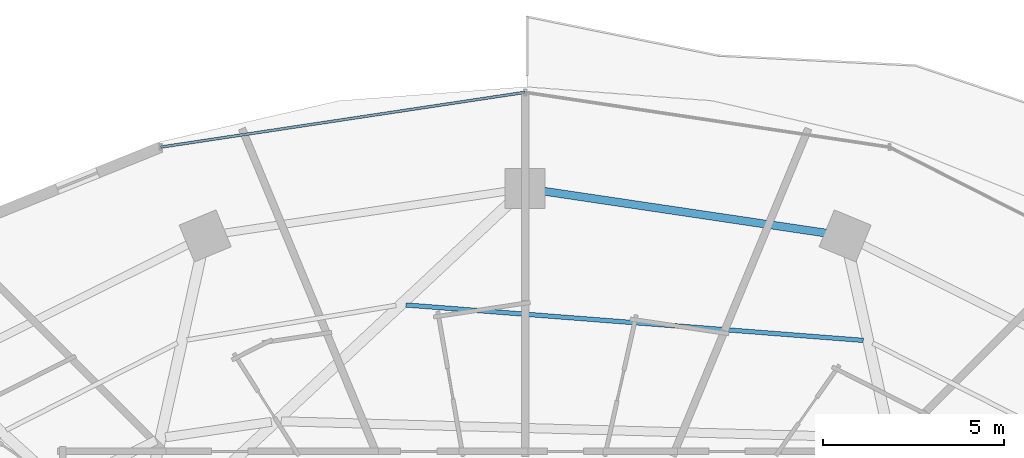
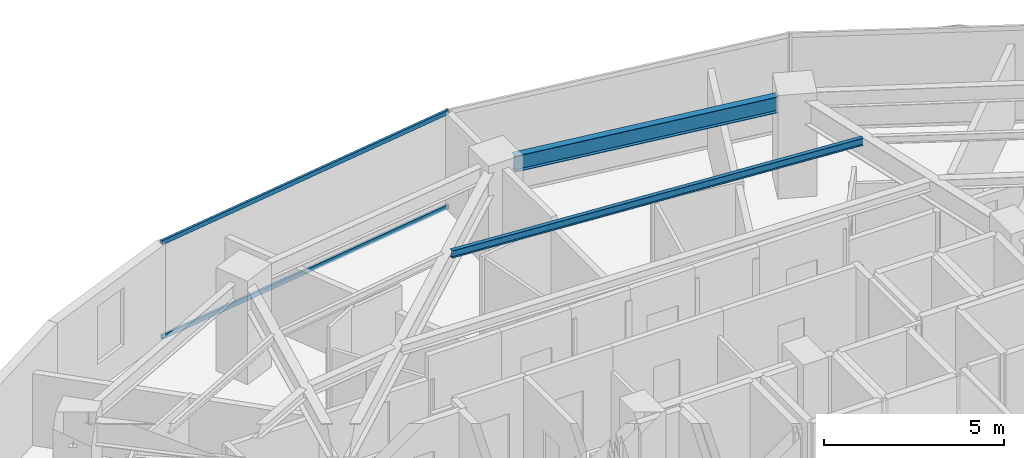
# One storey, part 19 of 30: 2 beams, 2 members, 1 element without a shape of its own.
"""IFC4 building model written with IfcOpenShell, lengths in metres."""

from ifc_helpers import new_model, si_unit, direction, frame, origin, origin_2d, place, context, subcontext, project, spatial, hollow_rectangle, i_section, extrude, material, material_profile, profile_set, type_object, element, aggregate, save


model = new_model("IFC4")

# Units and contexts
model_context = context("Model", 3, precision=1e-05, world=origin(), true_north=direction((0.0, 1.0)))
body_context = subcontext(model_context, "Body", "Model", "MODEL_VIEW")
ifc_project = project(units=[si_unit("LENGTHUNIT", "METRE"), si_unit("AREAUNIT", "SQUARE_METRE"), si_unit("VOLUMEUNIT", "CUBIC_METRE"), si_unit("PLANEANGLEUNIT", "RADIAN"), si_unit("MASSUNIT", "GRAM", prefix="KILO")], contexts=[model_context])

# Site, building, storey
site_placement = place(None, origin())
site = spatial("IfcSite", under=ifc_project, at=site_placement, CompositionType="ELEMENT")
building_placement = place(site_placement, origin())
building = spatial("IfcBuilding", under=site, at=building_placement, Name="Vorneva Point Tower", CompositionType="ELEMENT")
storey_placement = place(building_placement, frame((0.0, 0.0, 106.800048828125)))
storey = spatial("IfcBuildingStorey", under=building, at=storey_placement, Name="L28", CompositionType="ELEMENT", Elevation=106.800048828125)

# Beams
ifc_material_1 = material(Name="Steel S355", Category="steel")
ifc_material_profile_1 = material_profile(ifc_material_1, i_section(OverallWidth=0.1240234375, OverallDepth=0.248046875, WebThickness=0.0048828125, FlangeThickness=0.008056640625, at=origin_2d()), Name="25B1")
ifc_profile_set_1 = profile_set([ifc_material_profile_1], Name="Steel S355")
beam_type_1 = type_object("IfcBeamType", Name="BM-JST-25B1", PredefinedType="JOIST", material=ifc_profile_set_1)
beam_1_placement = place(storey_placement, frame((47.3212890625, 39.010986328125, 3.115966796875), z_axis=(-0.997018836162, 0.077158540275, 0.0), x_axis=(-0.077158540275, -0.997018836162, 0.0)))
element("IfcBeam", 1, at=beam_1_placement, inside=storey, type_object=beam_type_1, Name="L28 Secondary Floor Beam 1.04", PredefinedType="JOIST", context=body_context, shape_type="SweptSolid", body=[
    extrude(i_section(OverallWidth=0.1240234375, OverallDepth=0.248046875, WebThickness=0.0048828125, FlangeThickness=0.008056640625, at=origin_2d()), origin(), (0.0, 0.0, 1.0), 12.64697265625),
])
ifc_material_profile_2 = material_profile(ifc_material_1, i_section(OverallWidth=0.219970703125, OverallDepth=0.54296875, WebThickness=0.009521484375, FlangeThickness=0.013427734375, at=origin_2d()), Name="55B1")
ifc_profile_set_2 = profile_set([ifc_material_profile_2], Name="Steel S355")
beam_type_2 = type_object("IfcBeamType", Name="BM-SPN-55B1", PredefinedType="SPANDREL", material=ifc_profile_set_2)
beam_2_placement = place(storey_placement, frame((46.291748046875, 41.96923828125, 2.968505859375), z_axis=(-0.989164507783, 0.146811363806, 0.0), x_axis=(-0.146811363806, -0.989164507783, 0.0)))
element("IfcBeam", 2, at=beam_2_placement, inside=storey, type_object=beam_type_2, Name="L28 Perimeter Spandrel Ring Beam 04", PredefinedType="SPANDREL", context=body_context, shape_type="SweptSolid", body=[
    extrude(i_section(OverallWidth=0.219970703125, OverallDepth=0.54296875, WebThickness=0.009521484375, FlangeThickness=0.013427734375, at=origin_2d()), origin(), (0.0, 0.0, 1.0), 7.847412109375),
])

# Curtain wall, members
ifc_material_2 = material(Name="Pale anodised aluminium", Category="aluminium")
curtain_wall_type = type_object("IfcCurtainWallType", Name="CW-HTL-SYS", PredefinedType="NOTDEFINED", material=ifc_material_2)
curtain_wall_placement = place(storey_placement, origin())
curtain_wall = element("IfcCurtainWall", 3, at=curtain_wall_placement, inside=storey, type_object=curtain_wall_type, Name="L28 Unitised Curtain Wall CW-L28-R02", PredefinedType="NOTDEFINED")
ifc_material_profile_3 = material_profile(ifc_material_2, hollow_rectangle(XDim=0.074951171875, YDim=0.14990234375, WallThickness=0.00390625, at=origin_2d()), Name="AL-TRN 150x75x4")
ifc_profile_set_3 = profile_set([ifc_material_profile_3], Name="Pale anodised aluminium")
member_type = type_object("IfcMemberType", Name="CW-TRN-150", PredefinedType="USERDEFINED", material=ifc_profile_set_3)
member_1_placement = place(storey_placement, frame((38.0, 45.85009765625, 0.02001953125), z_axis=(-0.988875982167, -0.148742367512, 0.0), x_axis=(0.148742367512, -0.988875982167, 0.0)))
member_1 = element("IfcMember", 4, at=member_1_placement, type_object=member_type, Name="CW-L28-R02 Transom 03.1", ObjectType="TRANSOM", PredefinedType="USERDEFINED", context=body_context, shape_type="SweptSolid", body=[
    extrude(hollow_rectangle(XDim=0.074951171875, YDim=0.14990234375, WallThickness=0.00390625, at=origin_2d()), origin(), (0.0, 0.0, 1.0), 10.158447265625),
])
member_2_placement = place(storey_placement, frame((38.0, 45.85009765625, 3.219970703125), z_axis=(-0.988875982167, -0.148742367512, 0.0), x_axis=(0.148742367512, -0.988875982167, 0.0)))
member_2 = element("IfcMember", 5, at=member_2_placement, type_object=member_type, Name="CW-L28-R02 Transom 03.2", ObjectType="TRANSOM", PredefinedType="USERDEFINED", context=body_context, shape_type="SweptSolid", body=[
    extrude(hollow_rectangle(XDim=0.074951171875, YDim=0.14990234375, WallThickness=0.00390625, at=origin_2d()), origin(), (0.0, 0.0, 1.0), 10.158447265625),
])
aggregate(curtain_wall, [member_1, member_2])

save(model, "model.ifc")
